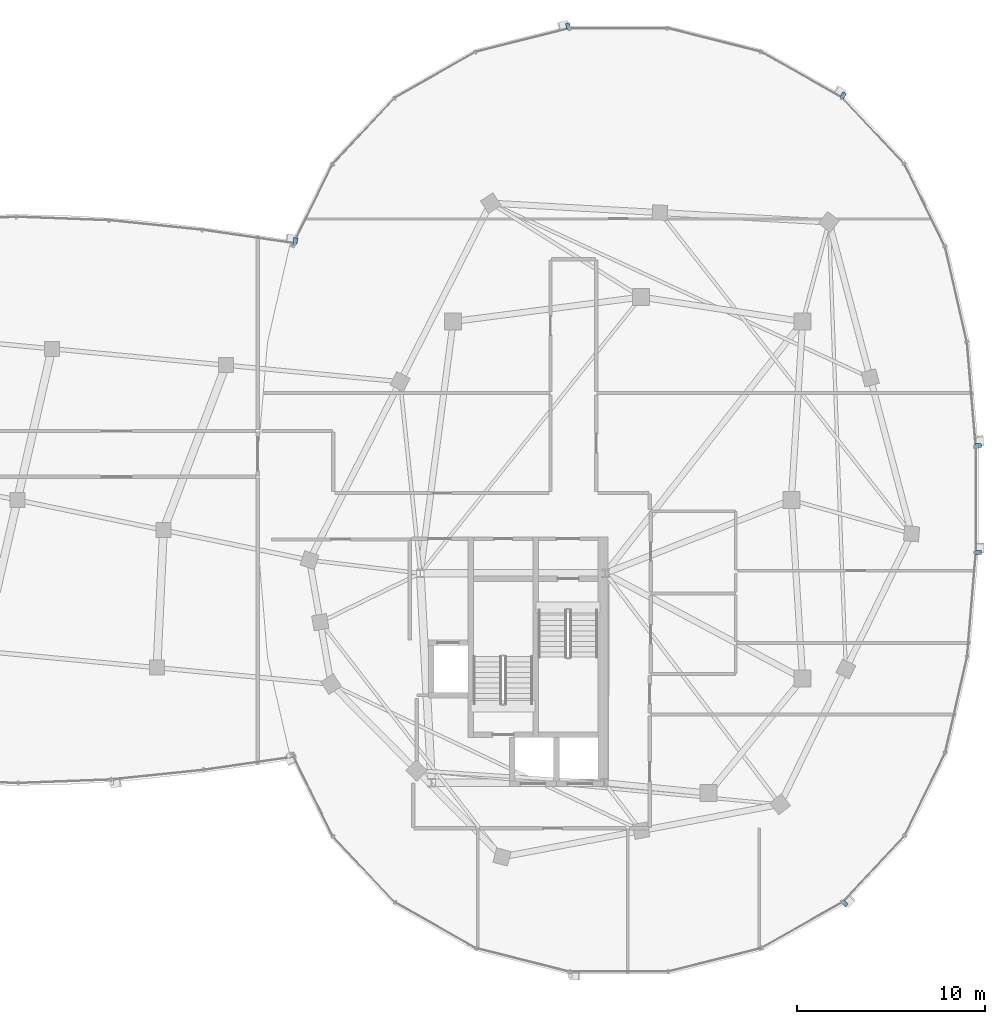
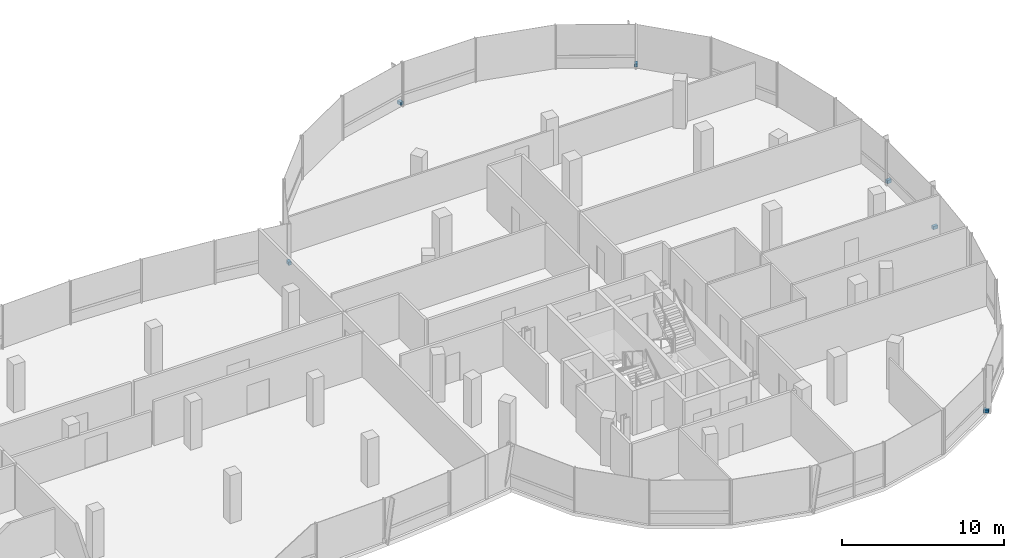
# One storey, part 20 of 26: 6 discrete accessories.
"""IFC4 building model written with IfcOpenShell, lengths in metres."""

from ifc_helpers import new_model, si_unit, direction, frame, origin, origin_2d, place, context, subcontext, project, spatial, rectangle, extrude, material, type_object, element, save


model = new_model("IFC4")

# Units and contexts
model_context = context("Model", 3, precision=1e-05, world=origin(), true_north=direction((0.0, 1.0)))
body_context = subcontext(model_context, "Body", "Model", "MODEL_VIEW")
ifc_project = project(units=[si_unit("LENGTHUNIT", "METRE"), si_unit("AREAUNIT", "SQUARE_METRE"), si_unit("VOLUMEUNIT", "CUBIC_METRE"), si_unit("PLANEANGLEUNIT", "RADIAN"), si_unit("MASSUNIT", "GRAM", prefix="KILO"), si_unit("THERMODYNAMICTEMPERATUREUNIT", "KELVIN"), si_unit("POWERUNIT", "WATT")], contexts=[model_context])

# Site, building, storey
site_placement = place(None, origin())
site = spatial("IfcSite", under=ifc_project, at=site_placement, CompositionType="ELEMENT")
building_placement = place(site_placement, origin())
building = spatial("IfcBuilding", under=site, at=building_placement, Name="Cundina Bronze Exchange", CompositionType="ELEMENT")
storey_placement = place(building_placement, frame((0.0, 0.0, 261.199951171875)))
storey = spatial("IfcBuildingStorey", under=building, at=storey_placement, Name="L69", CompositionType="ELEMENT", Elevation=261.199951171875)

# Discrete accessories
ifc_material = material(Name="Anodised Bronze Aluminium 6063-T6", Category="aluminium")
discrete_accessory_type = type_object("IfcDiscreteAccessoryType", Name="ACC-BRK-FIN", PredefinedType="BRACKET", material=ifc_material)
for number, where, z_axis, x_axis, name in (
    (1, (51.154541015625, 2.897216796875, 0.10009765625), (0.0, 0.0, 1.0), (-0.083747411454, 0.996487015006, 0.0), "L69 Fin Support Bracket 1"),
    (2, (43.958251953125, 21.54150390625, 0.10009765625), (0.0, 0.0, 1.0), (-0.869572506985, 0.493805280547, 0.0), "L69 Fin Support Bracket 5"),
    (3, (29.317626953125, 25.23681640625, 0.10009765625), (0.0, 0.0, 1.0), (-0.969731542251, -0.244173577528, 0.0), "L69 Fin Support Bracket 1"),
    (4, (44.042236328125, -21.4755859375, 0.10009765625), (0.0, 0.0, 1.0), (0.684343512797, 0.72915976061, 0.0), "L69 Fin Support Bracket 1"),
    (5, (51.158935546875, -2.79150390625, 0.10009765625), (0.0, 0.0, 1.0), (0.0, 1.0, 0.0), "L69 Fin Support Bracket 5"),
    (6, (14.799560546875, 13.79736328125, 0.10009765625), (0.0, 0.0, 1.0), (-0.989528308409, 0.144338930496, 0.0), "L69 Fin Support Bracket 1"),
):
    element("IfcDiscreteAccessory", number, at=place(storey_placement, frame(where, z_axis=z_axis, x_axis=x_axis)), inside=storey, type_object=discrete_accessory_type, Name=name, PredefinedType="BRACKET", context=body_context, shape_type="SweptSolid", body=[
        extrude(rectangle(XDim=0.219970703125, YDim=0.320068359375, at=origin_2d()), origin(), (0.0, 0.0, 1.0), 0.239990234375),
    ])

save(model, "model.ifc")
